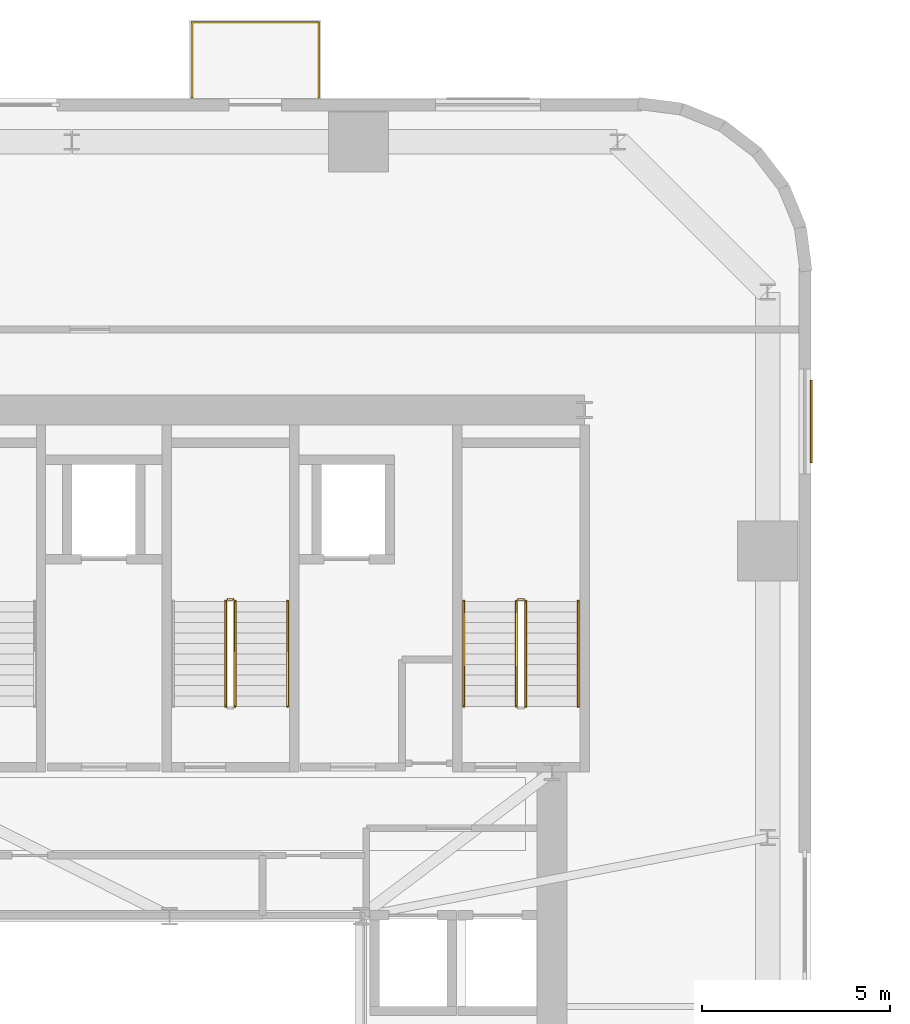
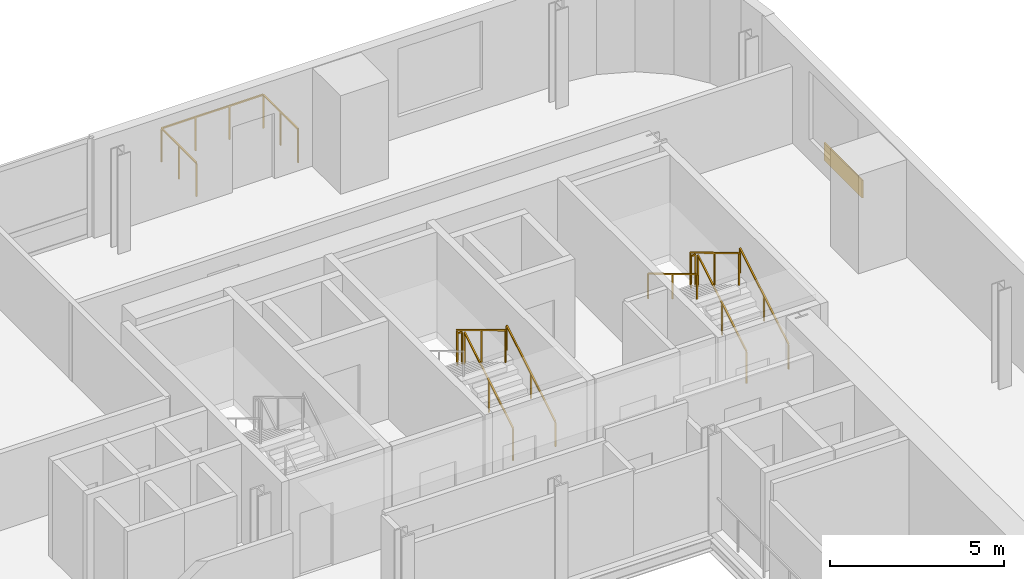
# One storey, part 14 of 14: 10 railings, 1 covering.
"""IFC4 building model written with IfcOpenShell, lengths in metres."""

from ifc_helpers import new_model, si_unit, direction, frame, origin, origin_2d, place, context, subcontext, project, spatial, rectangle, extrude, source, transform, mapped, material, layer, layer_set, type_object, element, save


model = new_model("IFC4")

# Units and contexts
model_context = context("Model", 3, precision=1e-05, world=origin(), true_north=direction((0.0, 1.0)))
body_context = subcontext(model_context, "Body", "Model", "MODEL_VIEW")
ifc_project = project(units=[si_unit("LENGTHUNIT", "METRE"), si_unit("AREAUNIT", "SQUARE_METRE"), si_unit("VOLUMEUNIT", "CUBIC_METRE"), si_unit("PLANEANGLEUNIT", "RADIAN"), si_unit("MASSUNIT", "GRAM", prefix="KILO")], contexts=[model_context])

# Site, building, storey
site_placement = place(None, origin())
site = spatial("IfcSite", under=ifc_project, at=site_placement, CompositionType="ELEMENT")
building_placement = place(site_placement, origin())
building = spatial("IfcBuilding", under=site, at=building_placement, Name="Vardaveli Station Tower", CompositionType="ELEMENT")
storey_placement = place(building_placement, frame((0.0, 0.0, 140.89990234375)))
storey = spatial("IfcBuildingStorey", under=building, at=storey_placement, Name="L36", CompositionType="ELEMENT", Elevation=140.89990234375)

# Covering
ifc_material_1 = material(Name="Ventilated honed travertine stone cladding", Category="masonry")
ifc_layer = layer(ifc_material_1, 0.044921875, Name="Ventilated honed travertine stone cladding")
ifc_layer_set = layer_set([ifc_layer], Name="Ventilated honed travertine stone cladding")
covering_type = type_object("IfcCoveringType", Name="COV-CLAD-TR45", PredefinedType="CLADDING", material=ifc_layer_set)
shared_shape_1 = source(origin(), body_context, "Body", "SweptSolid", [
    extrude(rectangle(XDim=2.199951171875, YDim=0.044921875, at=origin_2d()), origin(), (0.0, 0.0, 1.0), 0.6201171875),
])
covering_placement = place(storey_placement, frame((53.41455078125, 39.9951171875, 0.070068359375), z_axis=(0.0, 0.0, 1.0), x_axis=(0.0, 1.0, 0.0)))
element("IfcCovering", 1, at=covering_placement, inside=storey, type_object=covering_type, Name="CLD-TR-L36-E", PredefinedType="CLADDING", context=body_context, shape_type="MappedRepresentation", body=[
    mapped(shared_shape_1, transform((0.0, 0.0, 0.0), scale=1.0)),
])

# Railings
ifc_material_2 = material(Name="Laminated glass and stainless steel balustrade", Category="steel")
railing_type_1 = type_object("IfcRailingType", Name="RL-BAL-1200", PredefinedType="BALUSTRADE", material=ifc_material_2)
shared_shape_2 = source(origin(), body_context, "Body", "SweptSolid", [
    extrude(rectangle(XDim=0.048095703125, YDim=0.048095703125, at=origin_2d()), frame((0.0, 0.0, 1.17578125), z_axis=(0.0, 1.0, 0.0), x_axis=(-1.0, 0.0, 0.0)), (0.0, 0.0, 1.0), 2.0),
    extrude(rectangle(XDim=0.048095703125, YDim=0.048095703125, at=origin_2d()), frame((0.0, 2.0, 1.17578125), z_axis=(1.0, 0.0, 0.0), x_axis=(0.0, 1.0, 0.0)), (0.0, 0.0, 1.0), 3.3798828125),
    extrude(rectangle(XDim=0.048095703125, YDim=0.048095703125, at=origin_2d()), frame((3.3798828125, 2.0, 1.17578125), z_axis=(0.0, -1.0, 0.0), x_axis=(1.0, 0.0, 0.0)), (0.0, 0.0, 1.0), 2.0),
    extrude(rectangle(XDim=0.0419921875, YDim=0.0419921875, at=origin_2d()), origin(), (0.0, 0.0, 1.0), 1.15185546875),
    extrude(rectangle(XDim=0.0419921875, YDim=0.0419921875, at=origin_2d()), frame((0.0, 1.0, 0.0)), (0.0, 0.0, 1.0), 1.15185546875),
    extrude(rectangle(XDim=0.0419921875, YDim=0.0419921875, at=origin_2d()), frame((0.0, 2.0, 0.0)), (0.0, 0.0, 1.0), 1.15185546875),
    extrude(rectangle(XDim=0.0419921875, YDim=0.0419921875, at=origin_2d()), frame((1.126708984375, 2.0, 0.0)), (0.0, 0.0, 1.0), 1.15185546875),
    extrude(rectangle(XDim=0.0419921875, YDim=0.0419921875, at=origin_2d()), frame((2.253173828125, 2.0, 0.0)), (0.0, 0.0, 1.0), 1.15185546875),
    extrude(rectangle(XDim=0.0419921875, YDim=0.0419921875, at=origin_2d()), frame((3.3798828125, 2.0, 0.0)), (0.0, 0.0, 1.0), 1.15185546875),
    extrude(rectangle(XDim=0.0419921875, YDim=0.0419921875, at=origin_2d()), frame((3.3798828125, 1.0, 0.0)), (0.0, 0.0, 1.0), 1.15185546875),
    extrude(rectangle(XDim=0.0419921875, YDim=0.0419921875, at=origin_2d()), frame((3.3798828125, 0.0, 0.0)), (0.0, 0.0, 1.0), 1.15185546875),
])
railing_1_placement = place(storey_placement, frame((36.899658203125, 48.639892578125, 0.0)))
element("IfcRailing", 2, at=railing_1_placement, inside=storey, type_object=railing_type_1, Name="RL-LOG-L36-02", PredefinedType="BALUSTRADE", context=body_context, shape_type="MappedRepresentation", body=[
    mapped(shared_shape_2, transform((0.0, 0.0, 0.0), scale=1.0)),
])
ifc_material_3 = material(Name="Brushed AISI 316 stainless steel", Category="steel")
railing_type_2 = type_object("IfcRailingType", Name="RL-GUARD-1150", PredefinedType="GUARDRAIL", material=ifc_material_3)
shared_shape_3 = source(origin(), body_context, "Body", "SweptSolid", [
    extrude(rectangle(XDim=0.048095703125, YDim=0.048095703125, at=origin_2d()), frame((0.0, 0.0, 1.1259765625), z_axis=(-1.0, 0.0, 0.0), x_axis=(0.0, -1.0, 0.0)), (0.0, 0.0, 1.0), 0.14990234375),
    extrude(rectangle(XDim=0.0419921875, YDim=0.0419921875, at=origin_2d()), origin(), (0.0, 0.0, 1.0), 1.101806640625),
    extrude(rectangle(XDim=0.0419921875, YDim=0.0419921875, at=origin_2d()), frame((-0.14990234375, 0.0, 0.0)), (0.0, 0.0, 1.0), 1.101806640625),
])
for number, where, name in (
    (3, (38.0, 35.25, 1.85009765625), "L36 ST-2 stair guard 2"),
    (4, (45.75, 35.25, 1.85009765625), "L36 ST-3 stair guard 2"),
):
    element("IfcRailing", number, at=place(storey_placement, frame(where)), inside=storey, type_object=railing_type_2, Name=name, PredefinedType="GUARDRAIL", context=body_context, shape_type="MappedRepresentation", body=[
        mapped(shared_shape_3, transform((0.0, 0.0, 0.0), scale=1.0)),
    ])
shared_shape_4 = source(origin(), body_context, "Body", "SweptSolid", [
    extrude(rectangle(XDim=0.048095703125, YDim=0.048095703125, at=origin_2d()), frame((0.0, 0.0, 1.1259765625), z_axis=(0.0, -0.857242210791, 0.514913383045), x_axis=(1.0, 0.0, 0.0)), (0.0, 0.0, 1.0), 3.266357421875),
    extrude(rectangle(XDim=0.0419921875, YDim=0.0419921875, at=origin_2d()), origin(), (0.0, 0.0, 1.0), 1.101806640625),
    extrude(rectangle(XDim=0.0419921875, YDim=0.0419921875, at=origin_2d()), frame((0.0, -1.39990234375, 0.8408203125)), (0.0, 0.0, 1.0), 1.101806640625),
    extrude(rectangle(XDim=0.0419921875, YDim=0.0419921875, at=origin_2d()), frame((0.0, -2.800048828125, 1.681884765625)), (0.0, 0.0, 1.0), 1.101806640625),
])
for number, where, name in (
    (5, (37.800048828125, 35.199951171875, 2.018310546875), "L36 ST-2 stair guard 3"),
    (6, (45.550048828125, 35.199951171875, 2.018310546875), "L36 ST-3 stair guard 3"),
):
    element("IfcRailing", number, at=place(storey_placement, frame(where)), inside=storey, type_object=railing_type_2, Name=name, PredefinedType="GUARDRAIL", context=body_context, shape_type="MappedRepresentation", body=[
        mapped(shared_shape_4, transform((0.0, 0.0, 0.0), scale=1.0)),
    ])
railing_type_3 = type_object("IfcRailingType", Name="RL-HAND-900", PredefinedType="HANDRAIL", material=ifc_material_3)
shared_shape_5 = source(origin(), body_context, "Body", "SweptSolid", [
    extrude(rectangle(XDim=0.048095703125, YDim=0.048095703125, at=origin_2d()), frame((0.0, 0.0, 0.8759765625), z_axis=(0.0, -0.857242210791, 0.514913383045), x_axis=(1.0, 0.0, 0.0)), (0.0, 0.0, 1.0), 3.266357421875),
    extrude(rectangle(XDim=0.0419921875, YDim=0.0419921875, at=origin_2d()), origin(), (0.0, 0.0, 1.0), 0.851806640625),
    extrude(rectangle(XDim=0.0419921875, YDim=0.0419921875, at=origin_2d()), frame((0.0, -1.39990234375, 0.8408203125)), (0.0, 0.0, 1.0), 0.851806640625),
    extrude(rectangle(XDim=0.0419921875, YDim=0.0419921875, at=origin_2d()), frame((0.0, -2.800048828125, 1.681884765625)), (0.0, 0.0, 1.0), 0.851806640625),
])
railing_2_placement = place(storey_placement, frame((44.14990234375, 35.199951171875, 2.018310546875)))
element("IfcRailing", 7, at=railing_2_placement, inside=storey, type_object=railing_type_3, Name="L36 ST-3 stair handrail 2", PredefinedType="HANDRAIL", context=body_context, shape_type="MappedRepresentation", body=[
    mapped(shared_shape_5, transform((0.0, 0.0, 0.0), scale=1.0)),
])
shared_shape_6 = source(origin(), body_context, "Body", "SweptSolid", [
    extrude(rectangle(XDim=0.048095703125, YDim=0.048095703125, at=origin_2d()), frame((0.0, 0.0, 1.1259765625), z_axis=(0.0, 0.857242210791, 0.514913383045), x_axis=(-1.0, 0.0, 0.0)), (0.0, 0.0, 1.0), 3.266357421875),
    extrude(rectangle(XDim=0.0419921875, YDim=0.0419921875, at=origin_2d()), origin(), (0.0, 0.0, 1.0), 1.101806640625),
    extrude(rectangle(XDim=0.0419921875, YDim=0.0419921875, at=origin_2d()), frame((0.0, 1.39990234375, 0.8408203125)), (0.0, 0.0, 1.0), 1.101806640625),
    extrude(rectangle(XDim=0.0419921875, YDim=0.0419921875, at=origin_2d()), frame((0.0, 2.800048828125, 1.681884765625)), (0.0, 0.0, 1.0), 1.101806640625),
])
for number, where, name in (
    (8, (38.050048828125, 32.39990234375, 0.168212890625), "L36 ST-2 stair guard 1"),
    (9, (45.800048828125, 32.39990234375, 0.168212890625), "L36 ST-3 stair guard 1"),
):
    element("IfcRailing", number, at=place(storey_placement, frame(where)), inside=storey, type_object=railing_type_2, Name=name, PredefinedType="GUARDRAIL", context=body_context, shape_type="MappedRepresentation", body=[
        mapped(shared_shape_6, transform((0.0, 0.0, 0.0), scale=1.0)),
    ])
shared_shape_7 = source(origin(), body_context, "Body", "SweptSolid", [
    extrude(rectangle(XDim=0.048095703125, YDim=0.048095703125, at=origin_2d()), frame((0.0, 0.0, 0.8759765625), z_axis=(0.0, 0.857242210791, 0.514913383045), x_axis=(-1.0, 0.0, 0.0)), (0.0, 0.0, 1.0), 3.266357421875),
    extrude(rectangle(XDim=0.0419921875, YDim=0.0419921875, at=origin_2d()), origin(), (0.0, 0.0, 1.0), 0.851806640625),
    extrude(rectangle(XDim=0.0419921875, YDim=0.0419921875, at=origin_2d()), frame((0.0, 1.39990234375, 0.8408203125)), (0.0, 0.0, 1.0), 0.851806640625),
    extrude(rectangle(XDim=0.0419921875, YDim=0.0419921875, at=origin_2d()), frame((0.0, 2.800048828125, 1.681884765625)), (0.0, 0.0, 1.0), 0.851806640625),
])
for number, where, name in (
    (10, (39.449951171875, 32.39990234375, 0.168212890625), "L36 ST-2 stair handrail 1"),
    (11, (47.199951171875, 32.39990234375, 0.168212890625), "L36 ST-3 stair handrail 1"),
):
    element("IfcRailing", number, at=place(storey_placement, frame(where)), inside=storey, type_object=railing_type_3, Name=name, PredefinedType="HANDRAIL", context=body_context, shape_type="MappedRepresentation", body=[
        mapped(shared_shape_7, transform((0.0, 0.0, 0.0), scale=1.0)),
    ])

save(model, "model.ifc")
